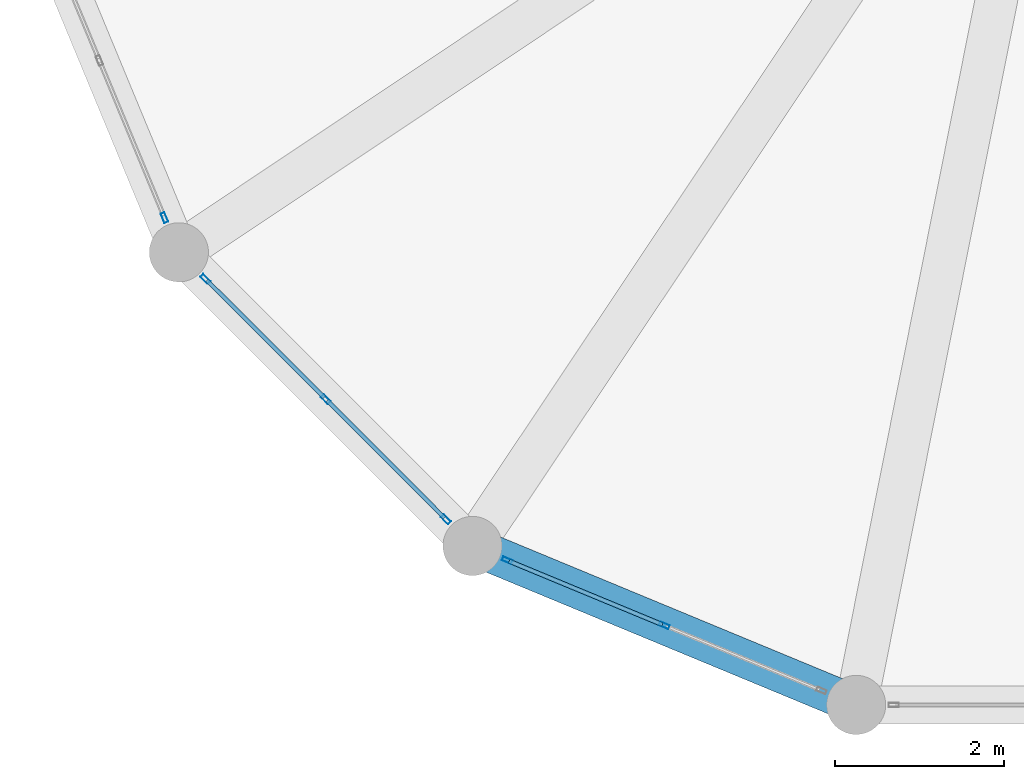
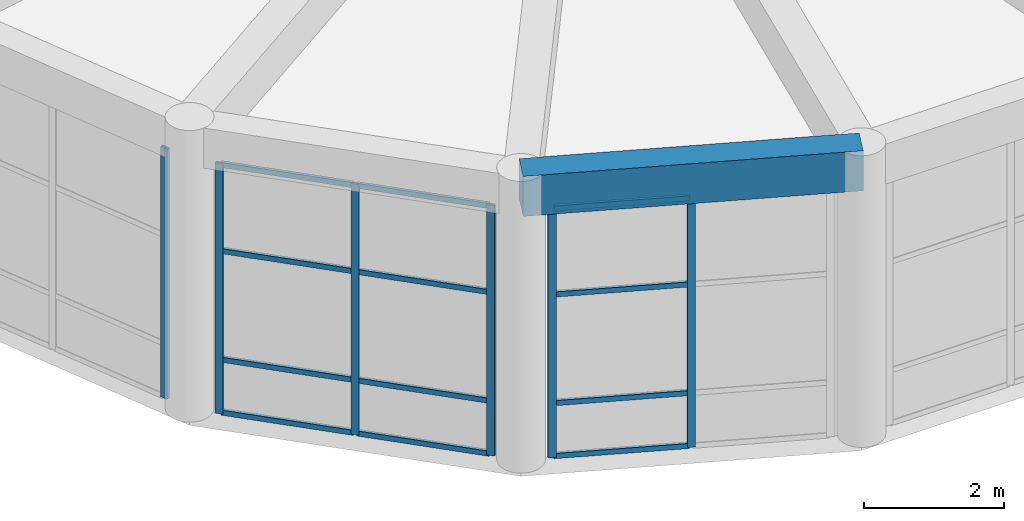
# One storey, part 3 of 95: 18 members, 1 beam, 3 elements without a shape of their own.
"""IFC4 building model written with IfcOpenShell, lengths in metres."""

from ifc_helpers import new_model, si_unit, direction, frame, origin, origin_2d, place, context, subcontext, project, spatial, rectangle, hollow_rectangle, extrude, material, material_profile, profile_set, type_object, element, aggregate, save


model = new_model("IFC4")

# Units and contexts
model_context = context("Model", 3, precision=1e-05, world=origin(), true_north=direction((0.0, 1.0)))
body_context = subcontext(model_context, "Body", "Model", "MODEL_VIEW")
ifc_project = project(units=[si_unit("LENGTHUNIT", "METRE"), si_unit("AREAUNIT", "SQUARE_METRE"), si_unit("VOLUMEUNIT", "CUBIC_METRE"), si_unit("PLANEANGLEUNIT", "RADIAN"), si_unit("MASSUNIT", "GRAM", prefix="KILO")], contexts=[model_context])

# Site, building, storey
site_placement = place(None, origin())
site = spatial("IfcSite", under=ifc_project, at=site_placement, CompositionType="ELEMENT")
building_placement = place(site_placement, origin())
building = spatial("IfcBuilding", under=site, at=building_placement, Name="Almacenes y Pasaje Nevantli", CompositionType="ELEMENT")
storey_placement = place(building_placement, frame((0.0, 0.0, 11.39990234375)))
storey = spatial("IfcBuildingStorey", under=building, at=storey_placement, Name="L03", CompositionType="ELEMENT", Elevation=11.39990234375)

# Beam
ifc_material_1 = material(Name="Concrete C35/45", Category="concrete")
ifc_material_profile_1 = material_profile(ifc_material_1, rectangle(XDim=0.449951171875, YDim=0.699951171875, at=origin_2d()), Name="RC-BM-450x700")
ifc_profile_set_1 = profile_set([ifc_material_profile_1], Name="Concrete C35/45")
beam_type = type_object("IfcBeamType", Name="BM-RC-450x700", PredefinedType="SPANDREL", material=ifc_profile_set_1)
beam_placement = place(storey_placement, frame((1.39990234375, -2.076416015625, 4.75), z_axis=(0.923862485532, -0.38272458482, 0.0), x_axis=(0.38272458482, 0.923862485532, 0.0)))
element("IfcBeam", 1, at=beam_placement, inside=storey, type_object=beam_type, Name="L03 Rotunda Ring Spandrel Beam #11", PredefinedType="SPANDREL", context=body_context, shape_type="SweptSolid", body=[
    extrude(rectangle(XDim=0.449951171875, YDim=0.699951171875, at=origin_2d()), origin(), (0.0, 0.0, 1.0), 4.916259765625),
])

# Curtain wall, member
ifc_material_2 = material(Name="Thermally Broken Aluminium and Low-E Glass", Category="aluminium")
curtain_wall_type = type_object("IfcCurtainWallType", Name="CW-UNIT-ROTUNDA", PredefinedType="USERDEFINED", material=ifc_material_2)
curtain_wall_1_placement = place(storey_placement, origin())
curtain_wall_1 = element("IfcCurtainWall", 2, at=curtain_wall_1_placement, inside=storey, type_object=curtain_wall_type, Name="L03 Corner Rotunda Faceted Curtain Wall Facet #9", ObjectType="UNITIZED CURTAIN WALL", PredefinedType="USERDEFINED")
ifc_material_3 = material(Name="Thermally Broken Anodized Aluminium", Category="aluminium")
ifc_material_profile_2 = material_profile(ifc_material_3, hollow_rectangle(XDim=0.050048828125, YDim=0.1201171875, WallThickness=0.003173828125, at=origin_2d()), Name="ALU-MUL-50x120")
ifc_profile_set_2 = profile_set([ifc_material_profile_2], Name="Thermally Broken Anodized Aluminium")
member_type_1 = type_object("IfcMemberType", Name="CW-MUL-140", PredefinedType="MULLION", material=ifc_profile_set_2)
member_1_placement = place(storey_placement, frame((-2.246826171875, 1.810791015625, 0.0), z_axis=(0.0, 0.0, 1.0), x_axis=(0.923873311502, 0.382698450865, 0.0)))
member_1 = element("IfcMember", 3, at=member_1_placement, type_object=member_type_1, Name="CW-L03-061 mullion 3", PredefinedType="MULLION", context=body_context, shape_type="SweptSolid", body=[
    extrude(hollow_rectangle(XDim=0.050048828125, YDim=0.1201171875, WallThickness=0.003173828125, at=origin_2d()), origin(), (0.0, 0.0, 1.0), 4.380126953125),
])
aggregate(curtain_wall_1, [member_1])

# Curtain wall, members
curtain_wall_2_placement = place(storey_placement, origin())
curtain_wall_2 = element("IfcCurtainWall", 4, at=curtain_wall_2_placement, inside=storey, type_object=curtain_wall_type, Name="L03 Corner Rotunda Faceted Curtain Wall Facet #10", ObjectType="UNITIZED CURTAIN WALL", PredefinedType="USERDEFINED")
member_2_placement = place(storey_placement, frame((-1.76171875, 1.085205078125, 0.0), z_axis=(0.0, 0.0, 1.0), x_axis=(0.707106781187, 0.707106781187, 0.0)))
member_2 = element("IfcMember", 5, at=member_2_placement, type_object=member_type_1, Name="CW-L03-062 mullion 1", PredefinedType="MULLION", context=body_context, shape_type="SweptSolid", body=[
    extrude(hollow_rectangle(XDim=0.050048828125, YDim=0.1201171875, WallThickness=0.003173828125, at=origin_2d()), origin(), (0.0, 0.0, 1.0), 4.380126953125),
])
member_3_placement = place(storey_placement, frame((-0.33837890625, -0.33837890625, 0.0), z_axis=(0.0, 0.0, 1.0), x_axis=(0.707106781187, 0.707106781187, 0.0)))
member_3 = element("IfcMember", 6, at=member_3_placement, type_object=member_type_1, Name="CW-L03-062 mullion 2", PredefinedType="MULLION", context=body_context, shape_type="SweptSolid", body=[
    extrude(hollow_rectangle(XDim=0.050048828125, YDim=0.1201171875, WallThickness=0.003173828125, at=origin_2d()), origin(), (0.0, 0.0, 1.0), 4.380126953125),
])
member_4_placement = place(storey_placement, frame((1.085205078125, -1.76171875, 0.0), z_axis=(0.0, 0.0, 1.0), x_axis=(0.707106781187, 0.707106781187, 0.0)))
member_4 = element("IfcMember", 7, at=member_4_placement, type_object=member_type_1, Name="CW-L03-062 mullion 3", PredefinedType="MULLION", context=body_context, shape_type="SweptSolid", body=[
    extrude(hollow_rectangle(XDim=0.050048828125, YDim=0.1201171875, WallThickness=0.003173828125, at=origin_2d()), origin(), (0.0, 0.0, 1.0), 4.380126953125),
])

curtain_wall_3_placement = place(storey_placement, origin())
curtain_wall_3 = element("IfcCurtainWall", 8, at=curtain_wall_3_placement, inside=storey, type_object=curtain_wall_type, Name="L03 Corner Rotunda Faceted Curtain Wall Facet #11", ObjectType="UNITIZED CURTAIN WALL", PredefinedType="USERDEFINED")
member_5_placement = place(storey_placement, frame((1.810791015625, -2.246826171875, 0.0), z_axis=(0.0, 0.0, 1.0), x_axis=(0.382698450865, 0.923873311502, 0.0)))
member_5 = element("IfcMember", 9, at=member_5_placement, type_object=member_type_1, Name="CW-L03-063 mullion 1", PredefinedType="MULLION", context=body_context, shape_type="SweptSolid", body=[
    extrude(hollow_rectangle(XDim=0.050048828125, YDim=0.1201171875, WallThickness=0.003173828125, at=origin_2d()), origin(), (0.0, 0.0, 1.0), 4.380126953125),
])
member_6_placement = place(storey_placement, frame((3.6708984375, -3.01708984375, 0.0), z_axis=(0.0, 0.0, 1.0), x_axis=(0.382698450865, 0.923873311502, 0.0)))
member_6 = element("IfcMember", 10, at=member_6_placement, type_object=member_type_1, Name="CW-L03-063 mullion 2", PredefinedType="MULLION", context=body_context, shape_type="SweptSolid", body=[
    extrude(hollow_rectangle(XDim=0.050048828125, YDim=0.1201171875, WallThickness=0.003173828125, at=origin_2d()), origin(), (0.0, 0.0, 1.0), 4.380126953125),
])

# Member
ifc_material_4 = material(Name="Thermally Broken Anodized Aluminium", Category="aluminium")
ifc_material_profile_3 = material_profile(ifc_material_4, hollow_rectangle(XDim=0.050048828125, YDim=0.090087890625, WallThickness=0.0029296875, at=origin_2d()), Name="ALU-TRN-50x90")
ifc_profile_set_3 = profile_set([ifc_material_profile_3], Name="Thermally Broken Anodized Aluminium")
member_type_2 = type_object("IfcMemberType", Name="CW-TRN-100", PredefinedType="USERDEFINED", material=ifc_profile_set_3)
member_7_placement = place(storey_placement, frame((-1.744140625, 1.0673828125, 0.025146484375), z_axis=(0.707168963553, -0.707044593352, 0.0), x_axis=(0.707044593352, 0.707168963553, 0.0)))
member_7 = element("IfcMember", 11, at=member_7_placement, type_object=member_type_2, Name="CW-L03-062 transom 1.1", ObjectType="TRANSOM", PredefinedType="USERDEFINED", context=body_context, shape_type="SweptSolid", body=[
    extrude(hollow_rectangle(XDim=0.050048828125, YDim=0.090087890625, WallThickness=0.0029296875, at=origin_2d()), origin(), (0.0, 0.0, 1.0), 1.963134765625),
])

member_8_placement = place(storey_placement, frame((-1.744140625, 1.0673828125, 0.9501953125), z_axis=(0.707168963553, -0.707044593352, 0.0), x_axis=(0.707044593352, 0.707168963553, 0.0)))
member_8 = element("IfcMember", 12, at=member_8_placement, type_object=member_type_2, Name="CW-L03-062 transom 1.2", ObjectType="TRANSOM", PredefinedType="USERDEFINED", context=body_context, shape_type="SweptSolid", body=[
    extrude(hollow_rectangle(XDim=0.050048828125, YDim=0.090087890625, WallThickness=0.0029296875, at=origin_2d()), origin(), (0.0, 0.0, 1.0), 1.963134765625),
])

member_9_placement = place(storey_placement, frame((-1.744140625, 1.0673828125, 2.85009765625), z_axis=(0.707168963553, -0.707044593352, 0.0), x_axis=(0.707044593352, 0.707168963553, 0.0)))
member_9 = element("IfcMember", 13, at=member_9_placement, type_object=member_type_2, Name="CW-L03-062 transom 1.3", ObjectType="TRANSOM", PredefinedType="USERDEFINED", context=body_context, shape_type="SweptSolid", body=[
    extrude(hollow_rectangle(XDim=0.050048828125, YDim=0.090087890625, WallThickness=0.0029296875, at=origin_2d()), origin(), (0.0, 0.0, 1.0), 1.963134765625),
])

member_10_placement = place(storey_placement, frame((-1.744140625, 1.0673828125, 4.35498046875), z_axis=(0.707168963553, -0.707044593352, 0.0), x_axis=(0.707044593352, 0.707168963553, 0.0)))
member_10 = element("IfcMember", 14, at=member_10_placement, type_object=member_type_2, Name="CW-L03-062 transom 1.4", ObjectType="TRANSOM", PredefinedType="USERDEFINED", context=body_context, shape_type="SweptSolid", body=[
    extrude(hollow_rectangle(XDim=0.050048828125, YDim=0.090087890625, WallThickness=0.0029296875, at=origin_2d()), origin(), (0.0, 0.0, 1.0), 1.963134765625),
])

member_11_placement = place(storey_placement, frame((-0.320556640625, -0.35595703125, 0.025146484375), z_axis=(0.707044593352, -0.707168963553, 0.0), x_axis=(0.707168963553, 0.707044593352, 0.0)))
member_11 = element("IfcMember", 15, at=member_11_placement, type_object=member_type_2, Name="CW-L03-062 transom 2.1", ObjectType="TRANSOM", PredefinedType="USERDEFINED", context=body_context, shape_type="SweptSolid", body=[
    extrude(hollow_rectangle(XDim=0.050048828125, YDim=0.090087890625, WallThickness=0.0029296875, at=origin_2d()), origin(), (0.0, 0.0, 1.0), 1.963134765625),
])

member_12_placement = place(storey_placement, frame((-0.320556640625, -0.35595703125, 0.9501953125), z_axis=(0.707044593352, -0.707168963553, 0.0), x_axis=(0.707168963553, 0.707044593352, 0.0)))
member_12 = element("IfcMember", 16, at=member_12_placement, type_object=member_type_2, Name="CW-L03-062 transom 2.2", ObjectType="TRANSOM", PredefinedType="USERDEFINED", context=body_context, shape_type="SweptSolid", body=[
    extrude(hollow_rectangle(XDim=0.050048828125, YDim=0.090087890625, WallThickness=0.0029296875, at=origin_2d()), origin(), (0.0, 0.0, 1.0), 1.963134765625),
])

member_13_placement = place(storey_placement, frame((-0.320556640625, -0.35595703125, 2.85009765625), z_axis=(0.707044593352, -0.707168963553, 0.0), x_axis=(0.707168963553, 0.707044593352, 0.0)))
member_13 = element("IfcMember", 17, at=member_13_placement, type_object=member_type_2, Name="CW-L03-062 transom 2.3", ObjectType="TRANSOM", PredefinedType="USERDEFINED", context=body_context, shape_type="SweptSolid", body=[
    extrude(hollow_rectangle(XDim=0.050048828125, YDim=0.090087890625, WallThickness=0.0029296875, at=origin_2d()), origin(), (0.0, 0.0, 1.0), 1.963134765625),
])

member_14_placement = place(storey_placement, frame((-0.320556640625, -0.35595703125, 4.35498046875), z_axis=(0.707044593352, -0.707168963553, 0.0), x_axis=(0.707168963553, 0.707044593352, 0.0)))
member_14 = element("IfcMember", 18, at=member_14_placement, type_object=member_type_2, Name="CW-L03-062 transom 2.4", ObjectType="TRANSOM", PredefinedType="USERDEFINED", context=body_context, shape_type="SweptSolid", body=[
    extrude(hollow_rectangle(XDim=0.050048828125, YDim=0.090087890625, WallThickness=0.0029296875, at=origin_2d()), origin(), (0.0, 0.0, 1.0), 1.963134765625),
])

aggregate(curtain_wall_2, [member_2, member_3, member_4, member_7, member_8, member_9, member_10, member_11, member_12, member_13, member_14])

member_15_placement = place(storey_placement, frame((1.833984375, -2.25634765625, 0.025146484375), z_axis=(0.923887998679, -0.382662992588, 0.0), x_axis=(0.382662992588, 0.923887998679, 0.0)))
member_15 = element("IfcMember", 19, at=member_15_placement, type_object=member_type_2, Name="CW-L03-063 transom 1.1", ObjectType="TRANSOM", PredefinedType="USERDEFINED", context=body_context, shape_type="SweptSolid", body=[
    extrude(hollow_rectangle(XDim=0.050048828125, YDim=0.090087890625, WallThickness=0.0029296875, at=origin_2d()), origin(), (0.0, 0.0, 1.0), 1.963134765625),
])

member_16_placement = place(storey_placement, frame((1.833984375, -2.25634765625, 0.9501953125), z_axis=(0.923887998679, -0.382662992588, 0.0), x_axis=(0.382662992588, 0.923887998679, 0.0)))
member_16 = element("IfcMember", 20, at=member_16_placement, type_object=member_type_2, Name="CW-L03-063 transom 1.2", ObjectType="TRANSOM", PredefinedType="USERDEFINED", context=body_context, shape_type="SweptSolid", body=[
    extrude(hollow_rectangle(XDim=0.050048828125, YDim=0.090087890625, WallThickness=0.0029296875, at=origin_2d()), origin(), (0.0, 0.0, 1.0), 1.963134765625),
])

member_17_placement = place(storey_placement, frame((1.833984375, -2.25634765625, 2.85009765625), z_axis=(0.923887998679, -0.382662992588, 0.0), x_axis=(0.382662992588, 0.923887998679, 0.0)))
member_17 = element("IfcMember", 21, at=member_17_placement, type_object=member_type_2, Name="CW-L03-063 transom 1.3", ObjectType="TRANSOM", PredefinedType="USERDEFINED", context=body_context, shape_type="SweptSolid", body=[
    extrude(hollow_rectangle(XDim=0.050048828125, YDim=0.090087890625, WallThickness=0.0029296875, at=origin_2d()), origin(), (0.0, 0.0, 1.0), 1.963134765625),
])

member_18_placement = place(storey_placement, frame((1.833984375, -2.25634765625, 4.35498046875), z_axis=(0.923887998679, -0.382662992588, 0.0), x_axis=(0.382662992588, 0.923887998679, 0.0)))
member_18 = element("IfcMember", 22, at=member_18_placement, type_object=member_type_2, Name="CW-L03-063 transom 1.4", ObjectType="TRANSOM", PredefinedType="USERDEFINED", context=body_context, shape_type="SweptSolid", body=[
    extrude(hollow_rectangle(XDim=0.050048828125, YDim=0.090087890625, WallThickness=0.0029296875, at=origin_2d()), origin(), (0.0, 0.0, 1.0), 1.963134765625),
])

aggregate(curtain_wall_3, [member_5, member_6, member_15, member_16, member_17, member_18])

save(model, "model.ifc")
